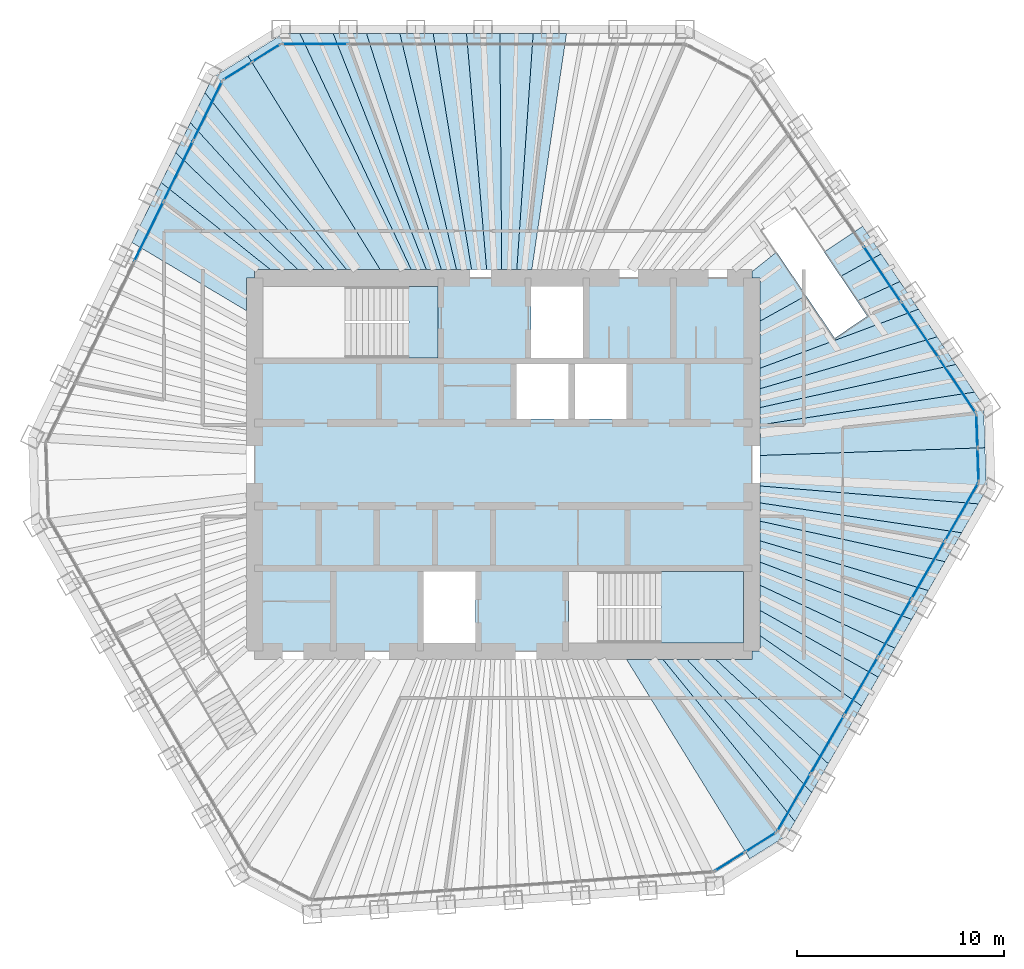
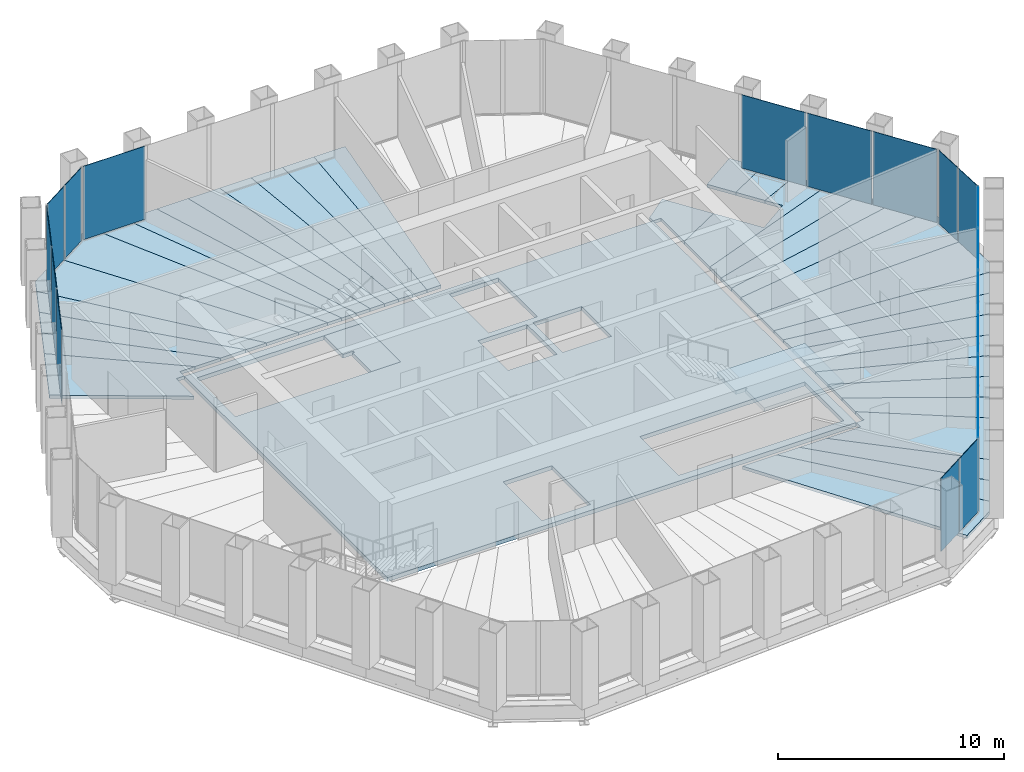
# One storey, part 12 of 17: 37 slabs, 19 plates, 9 elements without a shape of their own.
"""IFC4 building model written with IfcOpenShell, lengths in metres."""

from ifc_helpers import new_model, si_unit, direction, frame, origin, origin_2d, place, context, subcontext, project, spatial, polyline, rectangle, outline, extrude, material, layer, layer_set, type_object, element, aggregate, save


model = new_model("IFC4")

# Units and contexts
model_context = context("Model", 3, precision=1e-05, world=origin(), true_north=direction((0.0, 1.0)))
body_context = subcontext(model_context, "Body", "Model", "MODEL_VIEW")
ifc_project = project(units=[si_unit("LENGTHUNIT", "METRE"), si_unit("AREAUNIT", "SQUARE_METRE"), si_unit("VOLUMEUNIT", "CUBIC_METRE"), si_unit("PLANEANGLEUNIT", "RADIAN"), si_unit("MASSUNIT", "GRAM", prefix="KILO")], contexts=[model_context])

# Site, building, storey
site_placement = place(None, origin())
site = spatial("IfcSite", under=ifc_project, at=site_placement, CompositionType="ELEMENT")
building_placement = place(site_placement, origin())
building = spatial("IfcBuilding", under=site, at=building_placement, Name="Qingtian Harvest Tower", CompositionType="ELEMENT")
storey_placement = place(building_placement, frame((0.0, 0.0, 329.199951171875)))
storey = spatial("IfcBuildingStorey", under=building, at=storey_placement, Name="L73", CompositionType="ELEMENT", Elevation=329.199951171875)

# Slabs
ifc_material_1 = material(Name="Concrete fc' 35 MPa", Category="concrete")
ifc_layer_1 = layer(ifc_material_1, 0.169921875)
ifc_layer_set_1 = layer_set([ifc_layer_1], Name="Composite floor slab FS17 170")
slab_type_1 = type_object("IfcSlabType", Name="Composite floor slab FS17 170", PredefinedType="FLOOR", material=ifc_layer_set_1)
slab_1_placement = place(storey_placement, frame((0.0, 0.0, -0.169921875)))
element("IfcSlab", 1, at=slab_1_placement, inside=storey, type_object=slab_type_1, Name="Floor slab L73 panel D27", PredefinedType="FLOOR", context=body_context, shape_type="SweptSolid", body=[
    extrude(outline(polyline([(5.945556640625, -9.39990234375), (7.703125, -9.39990234375), (14.077880859375, -17.2265625), (13.6865234375, -17.904296875), (11.890380859375, -19.026611328125), (5.945556640625, -9.39990234375)])), origin(), (0.0, 0.0, 1.0), 0.169921875),
])
slab_2_placement = place(storey_placement, frame((0.0, 0.0, -0.169921875)))
element("IfcSlab", 2, at=slab_2_placement, inside=storey, type_object=slab_type_1, Name="Floor slab L73 panel D28", PredefinedType="FLOOR", context=body_context, shape_type="SweptSolid", body=[
    extrude(outline(polyline([(8.86279296875, -9.39990234375), (14.88232421875, -15.8330078125), (14.077880859375, -17.2265625), (7.703125, -9.39990234375), (8.86279296875, -9.39990234375)])), origin(), (0.0, 0.0, 1.0), 0.169921875),
])
slab_3_placement = place(storey_placement, frame((0.0, 0.0, -0.169921875)))
element("IfcSlab", 3, at=slab_3_placement, inside=storey, type_object=slab_type_1, Name="Floor slab L73 panel D29", PredefinedType="FLOOR", context=body_context, shape_type="SweptSolid", body=[
    extrude(outline(polyline([(10.248046875, -9.39990234375), (15.68701171875, -14.439453125), (14.88232421875, -15.8330078125), (8.86279296875, -9.39990234375), (10.248046875, -9.39990234375)])), origin(), (0.0, 0.0, 1.0), 0.169921875),
])
slab_4_placement = place(storey_placement, frame((0.0, 0.0, -0.169921875)))
element("IfcSlab", 4, at=slab_4_placement, inside=storey, type_object=slab_type_1, Name="Floor slab L73 panel D31", PredefinedType="FLOOR", context=body_context, shape_type="SweptSolid", body=[
    extrude(outline(polyline([(12.39990234375, -8.263427734375), (17.296630859375, -11.651123046875), (15.68701171875, -14.439453125), (10.248046875, -9.39990234375), (12.0, -9.39990234375), (12.0, -9.0), (12.39990234375, -9.0), (12.39990234375, -8.263427734375)])), origin(), (0.0, 0.0, 1.0), 0.169921875),
])
slab_5_placement = place(storey_placement, frame((0.0, 0.0, -0.169921875)))
element("IfcSlab", 5, at=slab_5_placement, inside=storey, type_object=slab_type_1, Name="Floor slab L73 panel D32", PredefinedType="FLOOR", context=body_context, shape_type="SweptSolid", body=[
    extrude(outline(polyline([(12.39990234375, -7.04296875), (18.099853515625, -10.26025390625), (17.296630859375, -11.651123046875), (12.39990234375, -8.263427734375), (12.39990234375, -7.04296875)])), origin(), (0.0, 0.0, 1.0), 0.169921875),
])
slab_6_placement = place(storey_placement, frame((0.0, 0.0, -0.169921875)))
element("IfcSlab", 6, at=slab_6_placement, inside=storey, type_object=slab_type_1, Name="Floor slab L73 panel D33", PredefinedType="FLOOR", context=body_context, shape_type="SweptSolid", body=[
    extrude(outline(polyline([(12.39990234375, -5.828125), (18.904296875, -8.86669921875), (18.099853515625, -10.26025390625), (12.39990234375, -7.04296875), (12.39990234375, -5.828125)])), origin(), (0.0, 0.0, 1.0), 0.169921875),
])
slab_7_placement = place(storey_placement, frame((0.0, 0.0, -0.169921875)))
element("IfcSlab", 7, at=slab_7_placement, inside=storey, type_object=slab_type_1, Name="Floor slab L73 panel D34", PredefinedType="FLOOR", context=body_context, shape_type="SweptSolid", body=[
    extrude(outline(polyline([(12.39990234375, -4.712646484375), (19.708740234375, -7.473388671875), (18.904296875, -8.86669921875), (12.39990234375, -5.828125), (12.39990234375, -4.712646484375)])), origin(), (0.0, 0.0, 1.0), 0.169921875),
])
slab_8_placement = place(storey_placement, frame((0.0, 0.0, -0.169921875)))
element("IfcSlab", 8, at=slab_8_placement, inside=storey, type_object=slab_type_1, Name="Floor slab L73 panel D35", PredefinedType="FLOOR", context=body_context, shape_type="SweptSolid", body=[
    extrude(outline(polyline([(12.39990234375, -3.684814453125), (20.51318359375, -6.080078125), (19.708740234375, -7.473388671875), (12.39990234375, -4.712646484375), (12.39990234375, -3.684814453125)])), origin(), (0.0, 0.0, 1.0), 0.169921875),
])
slab_9_placement = place(storey_placement, frame((0.0, 0.0, -0.169921875)))
element("IfcSlab", 9, at=slab_9_placement, inside=storey, type_object=slab_type_1, Name="Floor slab L73 panel D36", PredefinedType="FLOOR", context=body_context, shape_type="SweptSolid", body=[
    extrude(outline(polyline([(12.39990234375, -2.734619140625), (21.317626953125, -4.6865234375), (20.51318359375, -6.080078125), (12.39990234375, -3.684814453125), (12.39990234375, -2.734619140625)])), origin(), (0.0, 0.0, 1.0), 0.169921875),
])
slab_10_placement = place(storey_placement, frame((0.0, 0.0, -0.169921875)))
element("IfcSlab", 10, at=slab_10_placement, inside=storey, type_object=slab_type_1, Name="Floor slab L73 panel D37", PredefinedType="FLOOR", context=body_context, shape_type="SweptSolid", body=[
    extrude(outline(polyline([(12.39990234375, -1.853515625), (22.122314453125, -3.293212890625), (21.317626953125, -4.6865234375), (12.39990234375, -2.734619140625), (12.39990234375, -1.853515625)])), origin(), (0.0, 0.0, 1.0), 0.169921875),
])
slab_11_placement = place(storey_placement, frame((0.0, 0.0, -0.169921875)))
element("IfcSlab", 11, at=slab_11_placement, inside=storey, type_object=slab_type_1, Name="Floor slab L73 panel D38", PredefinedType="FLOOR", context=body_context, shape_type="SweptSolid", body=[
    extrude(outline(polyline([(12.39990234375, -1.034423828125), (22.9267578125, -1.89990234375), (22.122314453125, -3.293212890625), (12.39990234375, -1.853515625), (12.39990234375, -1.034423828125)])), origin(), (0.0, 0.0, 1.0), 0.169921875),
])
slab_12_placement = place(storey_placement, frame((0.0, 0.0, -0.169921875)))
element("IfcSlab", 12, at=slab_12_placement, inside=storey, type_object=slab_type_1, Name="Floor slab L73 panel D39", PredefinedType="FLOOR", context=body_context, shape_type="SweptSolid", body=[
    extrude(outline(polyline([(12.39990234375, -1.034423828125), (12.39990234375, 0.436279296875), (23.246826171875, 0.811767578125), (23.31787109375, -1.22216796875), (22.9267578125, -1.89990234375), (12.39990234375, -1.034423828125)])), origin(), (0.0, 0.0, 1.0), 0.169921875),
])
slab_13_placement = place(storey_placement, frame((0.0, 0.0, -0.169921875)))
element("IfcSlab", 13, at=slab_13_placement, inside=storey, type_object=slab_type_1, Name="Floor slab L73 panel D40", PredefinedType="FLOOR", context=body_context, shape_type="SweptSolid", body=[
    extrude(outline(polyline([(12.39990234375, 0.436279296875), (12.39990234375, 1.91357421875), (22.73828125, 3.494384765625), (23.17578125, 2.845947265625), (23.246826171875, 0.811767578125), (12.39990234375, 0.436279296875)])), origin(), (0.0, 0.0, 1.0), 0.169921875),
])
slab_14_placement = place(storey_placement, frame((0.0, 0.0, -0.169921875)))
element("IfcSlab", 14, at=slab_14_placement, inside=storey, type_object=slab_type_1, Name="Floor slab L73 panel D41", PredefinedType="FLOOR", context=body_context, shape_type="SweptSolid", body=[
    extrude(outline(polyline([(12.39990234375, 2.75048828125), (21.838623046875, 4.828369140625), (22.73828125, 3.494384765625), (12.39990234375, 1.91357421875), (12.39990234375, 2.75048828125)])), origin(), (0.0, 0.0, 1.0), 0.169921875),
])
slab_15_placement = place(storey_placement, frame((0.0, 0.0, -0.169921875)))
element("IfcSlab", 15, at=slab_15_placement, inside=storey, type_object=slab_type_1, Name="Floor slab L73 panel D42", PredefinedType="FLOOR", context=body_context, shape_type="SweptSolid", body=[
    extrude(outline(polyline([(12.39990234375, 3.659423828125), (20.93896484375, 6.162353515625), (21.838623046875, 4.828369140625), (12.39990234375, 2.75048828125), (12.39990234375, 3.659423828125)])), origin(), (0.0, 0.0, 1.0), 0.169921875),
])
slab_16_placement = place(storey_placement, frame((0.0, 0.0, -0.169921875)))
element("IfcSlab", 16, at=slab_16_placement, inside=storey, type_object=slab_type_1, Name="Floor slab L73 panel D43", PredefinedType="FLOOR", context=body_context, shape_type="SweptSolid", body=[
    extrude(outline(polyline([(12.39990234375, 4.64990234375), (20.0390625, 7.49609375), (20.93896484375, 6.162353515625), (12.39990234375, 3.659423828125), (12.39990234375, 4.64990234375)])), origin(), (0.0, 0.0, 1.0), 0.169921875),
])
slab_17_placement = place(storey_placement, frame((0.0, 0.0, -0.169921875)))
element("IfcSlab", 17, at=slab_17_placement, inside=storey, type_object=slab_type_1, Name="Floor slab L73 panel D44", PredefinedType="FLOOR", context=body_context, shape_type="SweptSolid", body=[
    extrude(outline(polyline([(12.39990234375, 4.64990234375), (12.39990234375, 6.925048828125), (14.60791015625, 8.149658203125), (15.993408203125, 6.095703125), (17.568359375, 7.158203125), (17.0791015625, 7.883544921875), (19.139404296875, 8.830078125), (20.0390625, 7.49609375), (12.39990234375, 4.64990234375)])), origin(), (0.0, 0.0, 1.0), 0.169921875),
])
slab_18_placement = place(storey_placement, frame((0.0, 0.0, -0.169921875)))
element("IfcSlab", 18, at=slab_18_placement, inside=storey, type_object=slab_type_1, Name="Floor slab L73 panel D45", PredefinedType="FLOOR", context=body_context, shape_type="SweptSolid", body=[
    extrude(outline(polyline([(16.275634765625, 9.07470703125), (18.23974609375, 10.1640625), (19.139404296875, 8.830078125), (17.0791015625, 7.883544921875), (16.275634765625, 9.07470703125)])), origin(), (0.0, 0.0, 1.0), 0.169921875),
])
slab_19_placement = place(storey_placement, frame((0.0, 0.0, -0.169921875)))
element("IfcSlab", 19, at=slab_19_placement, inside=storey, type_object=slab_type_1, Name="Floor slab L73 panel D46", PredefinedType="FLOOR", context=body_context, shape_type="SweptSolid", body=[
    extrude(outline(polyline([(15.4794921875, 10.2548828125), (17.340576171875, 11.4970703125), (18.23974609375, 10.1640625), (16.275634765625, 9.07470703125), (15.4794921875, 10.2548828125)])), origin(), (0.0, 0.0, 1.0), 0.169921875),
])
slab_20_placement = place(storey_placement, frame((0.0, 0.0, -0.169921875)))
element("IfcSlab", 20, at=slab_20_placement, inside=storey, type_object=slab_type_1, Name="Floor slab L73 panel D57", PredefinedType="FLOOR", context=body_context, shape_type="SweptSolid", body=[
    extrude(outline(polyline([(0.652587890625, 9.39990234375), (1.4443359375, 20.804931640625), (3.05322265625, 20.804931640625), (1.37939453125, 9.39990234375), (0.652587890625, 9.39990234375)])), origin(), (0.0, 0.0, 1.0), 0.169921875),
])
slab_21_placement = place(storey_placement, frame((0.0, 0.0, -0.169921875)))
element("IfcSlab", 21, at=slab_21_placement, inside=storey, type_object=slab_type_1, Name="Floor slab L73 panel D58", PredefinedType="FLOOR", context=body_context, shape_type="SweptSolid", body=[
    extrude(outline(polyline([(-0.074462890625, 9.39990234375), (-0.16455078125, 20.804931640625), (1.4443359375, 20.804931640625), (0.652587890625, 9.39990234375), (-0.074462890625, 9.39990234375)])), origin(), (0.0, 0.0, 1.0), 0.169921875),
])
slab_22_placement = place(storey_placement, frame((0.0, 0.0, -0.169921875)))
element("IfcSlab", 22, at=slab_22_placement, inside=storey, type_object=slab_type_1, Name="Floor slab L73 panel D59", PredefinedType="FLOOR", context=body_context, shape_type="SweptSolid", body=[
    extrude(outline(polyline([(-0.80126953125, 9.39990234375), (-1.773681640625, 20.804931640625), (-0.16455078125, 20.804931640625), (-0.074462890625, 9.39990234375), (-0.80126953125, 9.39990234375)])), origin(), (0.0, 0.0, 1.0), 0.169921875),
])
slab_23_placement = place(storey_placement, frame((0.0, 0.0, -0.169921875)))
element("IfcSlab", 23, at=slab_23_placement, inside=storey, type_object=slab_type_1, Name="Floor slab L73 panel D60", PredefinedType="FLOOR", context=body_context, shape_type="SweptSolid", body=[
    extrude(outline(polyline([(-1.5283203125, 9.39990234375), (-3.382568359375, 20.804931640625), (-1.773681640625, 20.804931640625), (-0.80126953125, 9.39990234375), (-1.5283203125, 9.39990234375)])), origin(), (0.0, 0.0, 1.0), 0.169921875),
])
slab_24_placement = place(storey_placement, frame((0.0, 0.0, -0.169921875)))
element("IfcSlab", 24, at=slab_24_placement, inside=storey, type_object=slab_type_1, Name="Floor slab L73 panel D61", PredefinedType="FLOOR", context=body_context, shape_type="SweptSolid", body=[
    extrude(outline(polyline([(-2.255126953125, 9.39990234375), (-4.991455078125, 20.804931640625), (-3.382568359375, 20.804931640625), (-1.5283203125, 9.39990234375), (-2.255126953125, 9.39990234375)])), origin(), (0.0, 0.0, 1.0), 0.169921875),
])
slab_25_placement = place(storey_placement, frame((0.0, 0.0, -0.169921875)))
element("IfcSlab", 25, at=slab_25_placement, inside=storey, type_object=slab_type_1, Name="Floor slab L73 panel D62", PredefinedType="FLOOR", context=body_context, shape_type="SweptSolid", body=[
    extrude(outline(polyline([(-2.982177734375, 9.39990234375), (-6.600341796875, 20.804931640625), (-4.991455078125, 20.804931640625), (-2.255126953125, 9.39990234375), (-2.982177734375, 9.39990234375)])), origin(), (0.0, 0.0, 1.0), 0.169921875),
])
slab_26_placement = place(storey_placement, frame((0.0, 0.0, -0.169921875)))
element("IfcSlab", 26, at=slab_26_placement, inside=storey, type_object=slab_type_1, Name="Floor slab L73 panel D63", PredefinedType="FLOOR", context=body_context, shape_type="SweptSolid", body=[
    extrude(outline(polyline([(-3.708984375, 9.39990234375), (-8.209228515625, 20.804931640625), (-6.600341796875, 20.804931640625), (-2.982177734375, 9.39990234375), (-3.708984375, 9.39990234375)])), origin(), (0.0, 0.0, 1.0), 0.169921875),
])
slab_27_placement = place(storey_placement, frame((0.0, 0.0, -0.169921875)))
element("IfcSlab", 27, at=slab_27_placement, inside=storey, type_object=slab_type_1, Name="Floor slab L73 panel D64", PredefinedType="FLOOR", context=body_context, shape_type="SweptSolid", body=[
    extrude(outline(polyline([(-4.43603515625, 9.39990234375), (-9.818115234375, 20.804931640625), (-8.209228515625, 20.804931640625), (-3.708984375, 9.39990234375), (-4.43603515625, 9.39990234375)])), origin(), (0.0, 0.0, 1.0), 0.169921875),
])
slab_28_placement = place(storey_placement, frame((0.0, 0.0, -0.169921875)))
element("IfcSlab", 28, at=slab_28_placement, inside=storey, type_object=slab_type_1, Name="Floor slab L73 panel D65", PredefinedType="FLOOR", context=body_context, shape_type="SweptSolid", body=[
    extrude(outline(polyline([(-4.43603515625, 9.39990234375), (-5.935302734375, 9.39990234375), (-12.327392578125, 19.725830078125), (-10.600341796875, 20.804931640625), (-9.818115234375, 20.804931640625), (-4.43603515625, 9.39990234375)])), origin(), (0.0, 0.0, 1.0), 0.169921875),
])
slab_29_placement = place(storey_placement, frame((0.0, 0.0, -0.169921875)))
element("IfcSlab", 29, at=slab_29_placement, inside=storey, type_object=slab_type_1, Name="Floor slab L73 panel D66", PredefinedType="FLOOR", context=body_context, shape_type="SweptSolid", body=[
    extrude(outline(polyline([(-5.935302734375, 9.39990234375), (-7.560302734375, 9.39990234375), (-14.3955078125, 17.944580078125), (-14.052490234375, 18.64794921875), (-12.327392578125, 19.725830078125), (-5.935302734375, 9.39990234375)])), origin(), (0.0, 0.0, 1.0), 0.169921875),
])
slab_30_placement = place(storey_placement, frame((0.0, 0.0, -0.169921875)))
element("IfcSlab", 30, at=slab_30_placement, inside=storey, type_object=slab_type_1, Name="Floor slab L73 panel D67", PredefinedType="FLOOR", context=body_context, shape_type="SweptSolid", body=[
    extrude(outline(polyline([(-8.62890625, 9.39990234375), (-15.100830078125, 16.498291015625), (-14.3955078125, 17.944580078125), (-7.560302734375, 9.39990234375), (-8.62890625, 9.39990234375)])), origin(), (0.0, 0.0, 1.0), 0.169921875),
])
slab_31_placement = place(storey_placement, frame((0.0, 0.0, -0.169921875)))
element("IfcSlab", 31, at=slab_31_placement, inside=storey, type_object=slab_type_1, Name="Floor slab L73 panel D68", PredefinedType="FLOOR", context=body_context, shape_type="SweptSolid", body=[
    extrude(outline(polyline([(-9.90380859375, 9.39990234375), (-15.80615234375, 15.05224609375), (-15.100830078125, 16.498291015625), (-8.62890625, 9.39990234375), (-9.90380859375, 9.39990234375)])), origin(), (0.0, 0.0, 1.0), 0.169921875),
])
slab_32_placement = place(storey_placement, frame((0.0, 0.0, -0.169921875)))
element("IfcSlab", 32, at=slab_32_placement, inside=storey, type_object=slab_type_1, Name="Floor slab L73 panel D69", PredefinedType="FLOOR", context=body_context, shape_type="SweptSolid", body=[
    extrude(outline(polyline([(-11.224853515625, 9.39990234375), (-16.509765625, 13.609619140625), (-15.80615234375, 15.05224609375), (-9.90380859375, 9.39990234375), (-11.224853515625, 9.39990234375)])), origin(), (0.0, 0.0, 1.0), 0.169921875),
])
slab_33_placement = place(storey_placement, frame((0.0, 0.0, -0.169921875)))
element("IfcSlab", 33, at=slab_33_placement, inside=storey, type_object=slab_type_1, Name="Floor slab L73 panel D70", PredefinedType="FLOOR", context=body_context, shape_type="SweptSolid", body=[
    extrude(outline(polyline([(-12.0, 9.0), (-12.39990234375, 9.0), (-12.39990234375, 7.42578125), (-17.921875, 10.714599609375), (-16.509765625, 13.609619140625), (-11.224853515625, 9.39990234375), (-12.0, 9.39990234375), (-12.0, 9.0)])), origin(), (0.0, 0.0, 1.0), 0.169921875),
])
slab_34_placement = place(storey_placement, frame((0.0, 0.0, -0.169921875)))
element("IfcSlab", 34, at=slab_34_placement, inside=storey, type_object=slab_type_1, Name="Floor slab L73 panel D46a", PredefinedType="FLOOR", context=body_context, shape_type="SweptSolid", body=[
    extrude(outline(polyline([(12.0, 9.0), (12.0, 9.30908203125), (13.189697265625, 10.252197265625), (14.60791015625, 8.149658203125), (12.39990234375, 6.925048828125), (12.39990234375, 9.0), (12.0, 9.0)])), origin(), (0.0, 0.0, 1.0), 0.169921875),
])
ifc_material_2 = material(Name="Concrete fc' 35 MPa", Category="concrete")
ifc_layer_2 = layer(ifc_material_2, 0.219970703125)
ifc_layer_set_2 = layer_set([ifc_layer_2], Name="Core floor slab CS22 220")
slab_type_2 = type_object("IfcSlabType", Name="Core floor slab CS22 220", PredefinedType="FLOOR", material=ifc_layer_set_2)
slab_35_placement = place(storey_placement, frame((0.0, 0.0, -0.219970703125)))
element("IfcSlab", 35, at=slab_35_placement, inside=storey, type_object=slab_type_2, Name="Core floor slab L73", PredefinedType="FLOOR", context=body_context, shape_type="SweptSolid", body=[
    extrude(outline(polyline([(-12.0, -9.0), (12.0, -9.0), (12.0, 9.0), (-12.0, 9.0), (-12.0, -9.0)]), holes=[polyline([(-11.60009765625, 5.14990234375), (-3.14990234375, 5.14990234375), (-3.14990234375, 8.60009765625), (-11.60009765625, 8.60009765625), (-11.60009765625, 5.14990234375)]), polyline([(3.14990234375, -8.60009765625), (11.60009765625, -8.60009765625), (11.60009765625, -5.14990234375), (3.14990234375, -5.14990234375), (3.14990234375, -8.60009765625)]), polyline([(1.35009765625, 5.14990234375), (3.85009765625, 5.14990234375), (3.85009765625, 8.60009765625), (1.35009765625, 8.60009765625), (1.35009765625, 5.14990234375)]), polyline([(-3.85009765625, -8.60009765625), (-1.35009765625, -8.60009765625), (-1.35009765625, -5.14990234375), (-3.85009765625, -5.14990234375), (-3.85009765625, -8.60009765625)]), polyline([(0.64990234375, 2.199951171875), (3.14990234375, 2.199951171875), (3.14990234375, 4.85009765625), (0.64990234375, 4.85009765625), (0.64990234375, 2.199951171875)]), polyline([(3.449951171875, 2.199951171875), (5.949951171875, 2.199951171875), (5.949951171875, 4.85009765625), (3.449951171875, 4.85009765625), (3.449951171875, 2.199951171875)])]), origin(), (0.0, 0.0, 1.0), 0.219970703125),
])

# Curtain wall, plate
ifc_material_3 = material(Name="Bronze-anodised aluminium curtain wall", Category="aluminium")
curtain_wall_type = type_object("IfcCurtainWallType", Name="Curtain wall CW6 executive floors", PredefinedType="USERDEFINED", material=ifc_material_3)
curtain_wall_1_placement = place(storey_placement, origin())
curtain_wall_1 = element("IfcCurtainWall", 36, at=curtain_wall_1_placement, inside=storey, type_object=curtain_wall_type, Name="Curtain wall CW6 L73 N0-5", ObjectType="RECESSED CURTAIN WALL", PredefinedType="USERDEFINED")
ifc_material_4 = material(Name="Bronze-tinted laminated insulating glass", Category="glass")
ifc_layer_3 = layer(ifc_material_4, 0.030029296875)
ifc_layer_set_3 = layer_set([ifc_layer_3], Name="Glazed panel CWP tinted IGU")
plate_type = type_object("IfcPlateType", Name="Glazed panel CWP tinted IGU", PredefinedType="CURTAIN_PANEL", material=ifc_layer_set_3)
plate_1_placement = place(storey_placement, frame((-9.08203125, 20.300048828125, 0.06494140625), z_axis=(0.0, 0.0, 1.0), x_axis=(1.0, 0.0, 0.0)))
plate_1 = element("IfcPlate", 37, at=plate_1_placement, type_object=plate_type, Name="CW6 panel 1.1", PredefinedType="CURTAIN_PANEL", context=body_context, shape_type="SweptSolid", body=[
    extrude(rectangle(XDim=3.150634765625, YDim=0.030029296875, at=origin_2d()), origin(), (0.0, 0.0, 1.0), 3.965087890625),
])
aggregate(curtain_wall_1, [plate_1])

# Curtain wall, plates
curtain_wall_2_placement = place(storey_placement, origin())
curtain_wall_2 = element("IfcCurtainWall", 38, at=curtain_wall_2_placement, inside=storey, type_object=curtain_wall_type, Name="Curtain wall CW6 L73 NE0-5", ObjectType="RECESSED CURTAIN WALL", PredefinedType="USERDEFINED")
plate_2_placement = place(storey_placement, frame((18.28466796875, 9.1943359375, 0.06494140625), z_axis=(0.0, 0.0, 1.0), x_axis=(0.559192903471, -0.829037572555, 0.0)))
plate_2 = element("IfcPlate", 39, at=plate_2_placement, type_object=plate_type, Name="CW6 panel 4.1", PredefinedType="CURTAIN_PANEL", context=body_context, shape_type="SweptSolid", body=[
    extrude(rectangle(XDim=3.18310546875, YDim=0.030029296875, at=origin_2d()), origin(), (0.0, 0.0, 1.0), 3.965087890625),
])
plate_3_placement = place(storey_placement, frame((20.100830078125, 6.50146484375, 0.06494140625), z_axis=(0.0, 0.0, 1.0), x_axis=(0.559192903471, -0.829037572555, 0.0)))
plate_3 = element("IfcPlate", 40, at=plate_3_placement, type_object=plate_type, Name="CW6 panel 5.1", PredefinedType="CURTAIN_PANEL", context=body_context, shape_type="SweptSolid", body=[
    extrude(rectangle(XDim=3.18310546875, YDim=0.030029296875, at=origin_2d()), origin(), (0.0, 0.0, 1.0), 3.965087890625),
])
plate_4_placement = place(storey_placement, frame((21.907958984375, 3.822265625, 0.06494140625), z_axis=(0.0, 0.0, 1.0), x_axis=(0.559192903471, -0.829037572555, 0.0)))
plate_4 = element("IfcPlate", 41, at=plate_4_placement, type_object=plate_type, Name="CW6 panel 6.1", PredefinedType="CURTAIN_PANEL", context=body_context, shape_type="SweptSolid", body=[
    extrude(rectangle(XDim=3.150634765625, YDim=0.030029296875, at=origin_2d()), origin(), (0.0, 0.0, 1.0), 3.965087890625),
])
aggregate(curtain_wall_2, [plate_2, plate_3, plate_4])

curtain_wall_3_placement = place(storey_placement, origin())
curtain_wall_3 = element("IfcCurtainWall", 42, at=curtain_wall_3_placement, inside=storey, type_object=curtain_wall_type, Name="Curtain wall CW6 L73 NEC", ObjectType="RECESSED CURTAIN WALL", PredefinedType="USERDEFINED")
plate_5_placement = place(storey_placement, frame((22.85498046875, 1.614501953125, 0.06494140625), z_axis=(0.0, 0.0, 1.0), x_axis=(0.034899496703, -0.999390827019, 0.0)))
plate_5 = element("IfcPlate", 43, at=plate_5_placement, type_object=plate_type, Name="CW6 panel 1.1", PredefinedType="CURTAIN_PANEL", context=body_context, shape_type="SweptSolid", body=[
    extrude(rectangle(XDim=1.56689453125, YDim=0.030029296875, at=origin_2d()), origin(), (0.0, 0.0, 1.0), 3.965087890625),
])
plate_6_placement = place(storey_placement, frame((22.911865234375, -0.016357421875, 0.06494140625), z_axis=(0.0, 0.0, 1.0), x_axis=(0.034899496703, -0.999390827019, 0.0)))
plate_6 = element("IfcPlate", 44, at=plate_6_placement, type_object=plate_type, Name="CW6 panel 2.1", PredefinedType="CURTAIN_PANEL", context=body_context, shape_type="SweptSolid", body=[
    extrude(rectangle(XDim=1.56689453125, YDim=0.030029296875, at=origin_2d()), origin(), (0.0, 0.0, 1.0), 3.965087890625),
])
aggregate(curtain_wall_3, [plate_5, plate_6])

curtain_wall_4_placement = place(storey_placement, origin())
curtain_wall_4 = element("IfcCurtainWall", 45, at=curtain_wall_4_placement, inside=storey, type_object=curtain_wall_type, Name="Curtain wall CW6 L73 SE0-5", ObjectType="RECESSED CURTAIN WALL", PredefinedType="USERDEFINED")
plate_7_placement = place(storey_placement, frame((22.121337890625, -2.28466796875, 0.06494140625), z_axis=(0.0, 0.0, 1.0), x_axis=(-0.5, -0.866025403784, 0.0)))
plate_7 = element("IfcPlate", 46, at=plate_7_placement, type_object=plate_type, Name="CW6 panel 1.1", PredefinedType="CURTAIN_PANEL", context=body_context, shape_type="SweptSolid", body=[
    extrude(rectangle(XDim=3.150634765625, YDim=0.030029296875, at=origin_2d()), origin(), (0.0, 0.0, 1.0), 3.965087890625),
])
plate_8_placement = place(storey_placement, frame((20.50537109375, -5.08349609375, 0.06494140625), z_axis=(0.0, 0.0, 1.0), x_axis=(-0.5, -0.866025403784, 0.0)))
plate_8 = element("IfcPlate", 47, at=plate_8_placement, type_object=plate_type, Name="CW6 panel 2.1", PredefinedType="CURTAIN_PANEL", context=body_context, shape_type="SweptSolid", body=[
    extrude(rectangle(XDim=3.18310546875, YDim=0.030029296875, at=origin_2d()), origin(), (0.0, 0.0, 1.0), 3.965087890625),
])
plate_9_placement = place(storey_placement, frame((18.88134765625, -7.896484375, 0.06494140625), z_axis=(0.0, 0.0, 1.0), x_axis=(-0.5, -0.866025403784, 0.0)))
plate_9 = element("IfcPlate", 48, at=plate_9_placement, type_object=plate_type, Name="CW6 panel 3.1", PredefinedType="CURTAIN_PANEL", context=body_context, shape_type="SweptSolid", body=[
    extrude(rectangle(XDim=3.18310546875, YDim=0.030029296875, at=origin_2d()), origin(), (0.0, 0.0, 1.0), 3.965087890625),
])
plate_10_placement = place(storey_placement, frame((17.25732421875, -10.709228515625, 0.06494140625), z_axis=(0.0, 0.0, 1.0), x_axis=(-0.5, -0.866025403784, 0.0)))
plate_10 = element("IfcPlate", 49, at=plate_10_placement, type_object=plate_type, Name="CW6 panel 4.1", PredefinedType="CURTAIN_PANEL", context=body_context, shape_type="SweptSolid", body=[
    extrude(rectangle(XDim=3.18310546875, YDim=0.030029296875, at=origin_2d()), origin(), (0.0, 0.0, 1.0), 3.965087890625),
])
plate_11_placement = place(storey_placement, frame((15.63330078125, -13.522216796875, 0.06494140625), z_axis=(0.0, 0.0, 1.0), x_axis=(-0.5, -0.866025403784, 0.0)))
plate_11 = element("IfcPlate", 50, at=plate_11_placement, type_object=plate_type, Name="CW6 panel 5.1", PredefinedType="CURTAIN_PANEL", context=body_context, shape_type="SweptSolid", body=[
    extrude(rectangle(XDim=3.18310546875, YDim=0.030029296875, at=origin_2d()), origin(), (0.0, 0.0, 1.0), 3.965087890625),
])
plate_12_placement = place(storey_placement, frame((14.017578125, -16.321044921875, 0.06494140625), z_axis=(0.0, 0.0, 1.0), x_axis=(-0.5, -0.866025403784, 0.0)))
plate_12 = element("IfcPlate", 51, at=plate_12_placement, type_object=plate_type, Name="CW6 panel 6.1", PredefinedType="CURTAIN_PANEL", context=body_context, shape_type="SweptSolid", body=[
    extrude(rectangle(XDim=3.150634765625, YDim=0.030029296875, at=origin_2d()), origin(), (0.0, 0.0, 1.0), 3.965087890625),
])
aggregate(curtain_wall_4, [plate_7, plate_8, plate_9, plate_10, plate_11, plate_12])

curtain_wall_5_placement = place(storey_placement, origin())
curtain_wall_5 = element("IfcCurtainWall", 52, at=curtain_wall_5_placement, inside=storey, type_object=curtain_wall_type, Name="Curtain wall CW6 L73 SEC", ObjectType="RECESSED CURTAIN WALL", PredefinedType="USERDEFINED")
plate_13_placement = place(storey_placement, frame((12.42431640625, -18.224609375, 0.06494140625), z_axis=(0.0, 0.0, 1.0), x_axis=(-0.848048096156, -0.529919264233, 0.0)))
plate_13 = element("IfcPlate", 53, at=plate_13_placement, type_object=plate_type, Name="CW6 panel 1.1", PredefinedType="CURTAIN_PANEL", context=body_context, shape_type="SweptSolid", body=[
    extrude(rectangle(XDim=1.69287109375, YDim=0.030029296875, at=origin_2d()), origin(), (0.0, 0.0, 1.0), 3.965087890625),
])
plate_14_placement = place(storey_placement, frame((10.93359375, -19.156005859375, 0.06494140625), z_axis=(0.0, 0.0, 1.0), x_axis=(-0.848048096156, -0.529919264233, 0.0)))
plate_14 = element("IfcPlate", 54, at=plate_14_placement, type_object=plate_type, Name="CW6 panel 2.1", PredefinedType="CURTAIN_PANEL", context=body_context, shape_type="SweptSolid", body=[
    extrude(rectangle(XDim=1.69287109375, YDim=0.030029296875, at=origin_2d()), origin(), (0.0, 0.0, 1.0), 3.965087890625),
])
aggregate(curtain_wall_5, [plate_13, plate_14])

curtain_wall_6_placement = place(storey_placement, origin())
curtain_wall_6 = element("IfcCurtainWall", 55, at=curtain_wall_6_placement, inside=storey, type_object=curtain_wall_type, Name="Curtain wall CW6 L73 NW0-5", ObjectType="RECESSED CURTAIN WALL", PredefinedType="USERDEFINED")
plate_15_placement = place(storey_placement, frame((-17.104736328125, 11.23779296875, 0.06494140625), z_axis=(0.0, 0.0, 1.0), x_axis=(0.438371146789, 0.898794046299, 0.0)))
plate_15 = element("IfcPlate", 56, at=plate_15_placement, type_object=plate_type, Name="CW6 panel 4.1", PredefinedType="CURTAIN_PANEL", context=body_context, shape_type="SweptSolid", body=[
    extrude(rectangle(XDim=3.18310546875, YDim=0.030029296875, at=origin_2d()), origin(), (0.0, 0.0, 1.0), 3.965087890625),
])
plate_16_placement = place(storey_placement, frame((-15.680908203125, 14.156982421875, 0.06494140625), z_axis=(0.0, 0.0, 1.0), x_axis=(0.438371146789, 0.898794046299, 0.0)))
plate_16 = element("IfcPlate", 57, at=plate_16_placement, type_object=plate_type, Name="CW6 panel 5.1", PredefinedType="CURTAIN_PANEL", context=body_context, shape_type="SweptSolid", body=[
    extrude(rectangle(XDim=3.18310546875, YDim=0.030029296875, at=origin_2d()), origin(), (0.0, 0.0, 1.0), 3.965087890625),
])
plate_17_placement = place(storey_placement, frame((-14.26416015625, 17.061767578125, 0.06494140625), z_axis=(0.0, 0.0, 1.0), x_axis=(0.438371146789, 0.898794046299, 0.0)))
plate_17 = element("IfcPlate", 58, at=plate_17_placement, type_object=plate_type, Name="CW6 panel 6.1", PredefinedType="CURTAIN_PANEL", context=body_context, shape_type="SweptSolid", body=[
    extrude(rectangle(XDim=3.150634765625, YDim=0.030029296875, at=origin_2d()), origin(), (0.0, 0.0, 1.0), 3.965087890625),
])
aggregate(curtain_wall_6, [plate_15, plate_16, plate_17])

curtain_wall_7_placement = place(storey_placement, origin())
curtain_wall_7 = element("IfcCurtainWall", 59, at=curtain_wall_7_placement, inside=storey, type_object=curtain_wall_type, Name="Curtain wall CW6 L73 NWC", ObjectType="RECESSED CURTAIN WALL", PredefinedType="USERDEFINED")
plate_18_placement = place(storey_placement, frame((-12.82568359375, 18.985595703125, 0.06494140625), z_axis=(0.0, 0.0, 1.0), x_axis=(0.848048096156, 0.529919264233, 0.0)))
plate_18 = element("IfcPlate", 60, at=plate_18_placement, type_object=plate_type, Name="CW6 panel 1.1", PredefinedType="CURTAIN_PANEL", context=body_context, shape_type="SweptSolid", body=[
    extrude(rectangle(XDim=1.56689453125, YDim=0.030029296875, at=origin_2d()), origin(), (0.0, 0.0, 1.0), 3.965087890625),
])
plate_19_placement = place(storey_placement, frame((-11.441650390625, 19.850341796875, 0.06494140625), z_axis=(0.0, 0.0, 1.0), x_axis=(0.848048096156, 0.529919264233, 0.0)))
plate_19 = element("IfcPlate", 61, at=plate_19_placement, type_object=plate_type, Name="CW6 panel 2.1", PredefinedType="CURTAIN_PANEL", context=body_context, shape_type="SweptSolid", body=[
    extrude(rectangle(XDim=1.56689453125, YDim=0.030029296875, at=origin_2d()), origin(), (0.0, 0.0, 1.0), 3.965087890625),
])
aggregate(curtain_wall_7, [plate_18, plate_19])

# Stair, slab
ifc_material_5 = material(Name="Concrete fc' 35 MPa", Category="concrete")
stair_type = type_object("IfcStairType", Name="Special stair ST7 4200", PredefinedType="HALF_TURN_STAIR", material=ifc_material_5)
stair_1_placement = place(storey_placement, origin())
stair_1 = element("IfcStair", 62, at=stair_1_placement, inside=storey, type_object=stair_type, Name="Special stair S1 L73", PredefinedType="HALF_TURN_STAIR")
ifc_material_6 = material(Name="Concrete fc' 35 MPa", Category="concrete")
ifc_layer_4 = layer(ifc_material_6, 0.199951171875)
ifc_layer_set_4 = layer_set([ifc_layer_4], Name="Stair landing SL2 200")
slab_type_3 = type_object("IfcSlabType", Name="Stair landing SL2 200", PredefinedType="LANDING", material=ifc_layer_set_4)
slab_36_placement = place(storey_placement, frame((0.0, 0.0, -0.199951171875)))
slab_36 = element("IfcSlab", 63, at=slab_36_placement, type_object=slab_type_3, Name="S1 landing 1", PredefinedType="LANDING", context=body_context, shape_type="SweptSolid", body=[
    extrude(outline(polyline([(-4.64990234375, 5.14990234375), (-4.64990234375, 6.824951171875), (-4.550048828125, 6.824951171875), (-4.550048828125, 6.925048828125), (-5.0849609375, 6.925048828125), (-5.0849609375, 8.60009765625), (-3.14990234375, 8.60009765625), (-3.14990234375, 5.14990234375), (-4.64990234375, 5.14990234375)])), origin(), (0.0, 0.0, 1.0), 0.199951171875),
])
aggregate(stair_1, [slab_36])

stair_2_placement = place(storey_placement, origin())
stair_2 = element("IfcStair", 64, at=stair_2_placement, inside=storey, type_object=stair_type, Name="Special stair S2 L73", PredefinedType="HALF_TURN_STAIR")
slab_37_placement = place(storey_placement, frame((0.0, 0.0, 1.900146484375)))
slab_37 = element("IfcSlab", 65, at=slab_37_placement, type_object=slab_type_3, Name="S2 landing 2", PredefinedType="LANDING", context=body_context, shape_type="SweptSolid", body=[
    extrude(outline(polyline([(7.530029296875, -8.60009765625), (7.530029296875, -6.925048828125), (7.6298828125, -6.925048828125), (7.6298828125, -6.824951171875), (7.094970703125, -6.824951171875), (7.094970703125, -5.14990234375), (11.60009765625, -5.14990234375), (11.60009765625, -8.60009765625), (7.530029296875, -8.60009765625)])), origin(), (0.0, 0.0, 1.0), 0.199951171875),
])
aggregate(stair_2, [slab_37])

save(model, "model.ifc")
